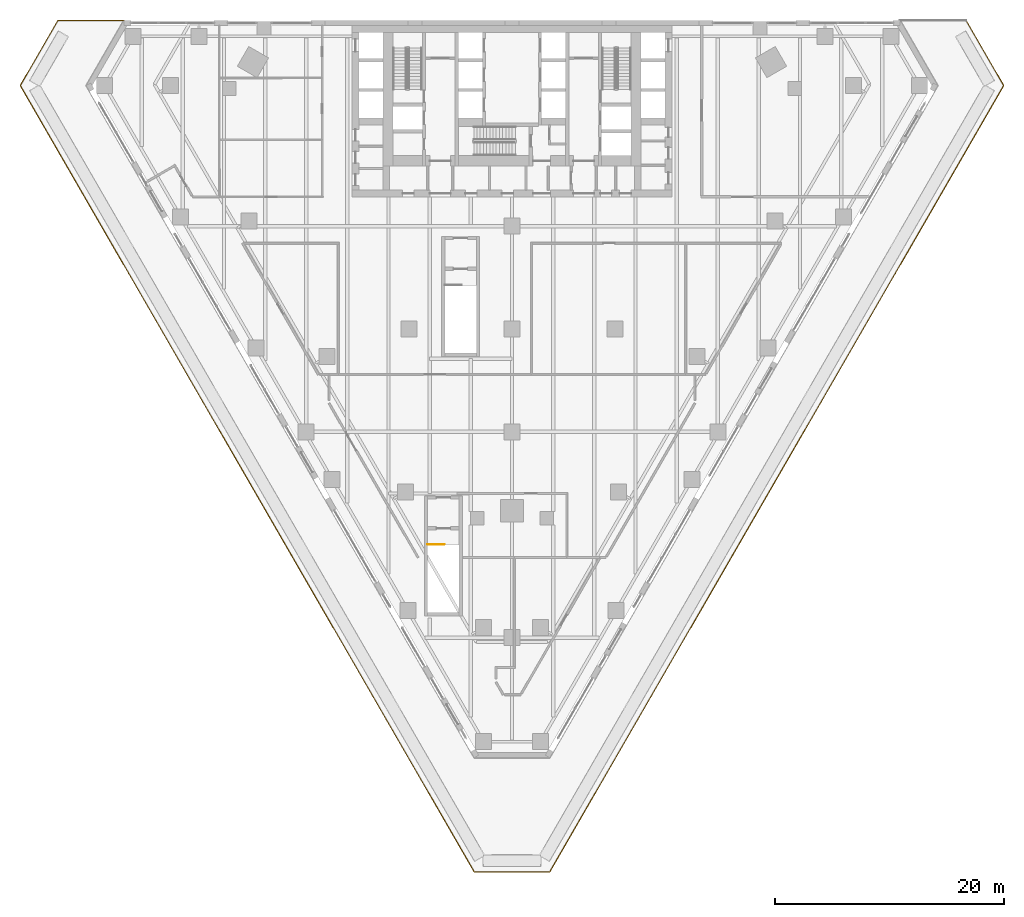
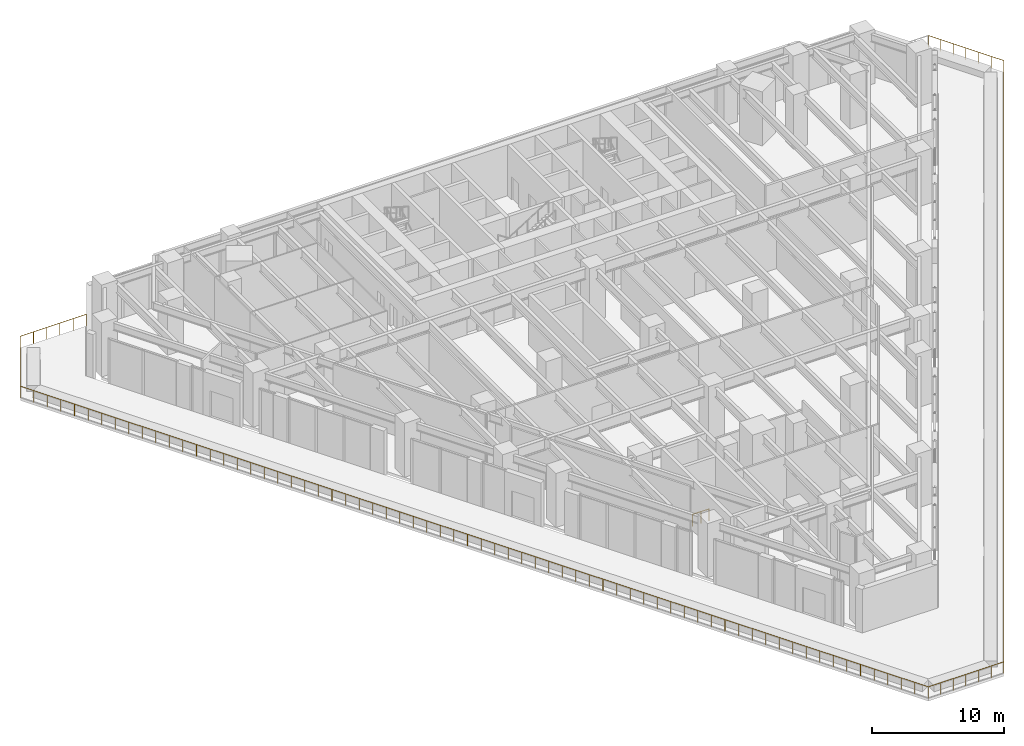
# One storey, part 28 of 31: 2 railings.
"""IFC4 building model written with IfcOpenShell, lengths in metres."""

from ifc_helpers import new_model, si_unit, direction, frame, origin, origin_2d, place, context, subcontext, project, spatial, circle, extrude, material, type_object, element, save


model = new_model("IFC4")

# Units and contexts
model_context = context("Model", 3, precision=1e-05, world=origin(), true_north=direction((0.0, 1.0)))
body_context = subcontext(model_context, "Body", "Model", "MODEL_VIEW")
ifc_project = project(units=[si_unit("LENGTHUNIT", "METRE"), si_unit("AREAUNIT", "SQUARE_METRE"), si_unit("VOLUMEUNIT", "CUBIC_METRE"), si_unit("PLANEANGLEUNIT", "RADIAN"), si_unit("MASSUNIT", "GRAM", prefix="KILO")], contexts=[model_context])

# Site, building, storey
site_placement = place(None, origin())
site = spatial("IfcSite", under=ifc_project, at=site_placement, CompositionType="ELEMENT")
building_placement = place(site_placement, origin())
building = spatial("IfcBuilding", under=site, at=building_placement, Name="Aloe Facet Convention Tower", CompositionType="ELEMENT")
storey_placement = place(building_placement, frame((0.0, 0.0, 25.0)))
storey = spatial("IfcBuildingStorey", under=building, at=storey_placement, Name="L04", CompositionType="ELEMENT", Elevation=25.0)

# Railings
ifc_material_1 = material(Name="Steel S355 balustrade", Category="steel")
railing_type_1 = type_object("IfcRailingType", Name="CR-RL-GUARD", PredefinedType="GUARDRAIL", material=ifc_material_1)
railing_1_placement = place(storey_placement, frame((72.625, 89.14990234375, 0.0)))
element("IfcRailing", 1, at=railing_1_placement, inside=storey, type_object=railing_type_1, Name="L04 ST4 top well guard 1", PredefinedType="GUARDRAIL", context=body_context, shape_type="SweptSolid", body=[
    extrude(circle(Radius=0.02392578125, at=origin_2d()), frame((0.0, 0.0, 1.076171875), z_axis=(1.0, 0.0, 0.0), x_axis=(0.0, 1.0, 0.0)), (0.0, 0.0, 1.0), 1.449951171875),
    extrude(circle(Radius=0.02099609375, at=origin_2d()), origin(), (0.0, 0.0, 1.0), 1.052001953125),
    extrude(circle(Radius=0.02099609375, at=origin_2d()), frame((0.72509765625, 0.0, 0.0)), (0.0, 0.0, 1.0), 1.052001953125),
    extrude(circle(Radius=0.02099609375, at=origin_2d()), frame((1.449951171875, 0.0, 0.0)), (0.0, 0.0, 1.0), 1.052001953125),
])
ifc_material_2 = material(Name="Steel S355, bronze oxide finish", Category="steel")
railing_type_2 = type_object("IfcRailingType", Name="EV-GUARD-TERR", PredefinedType="GUARDRAIL", material=ifc_material_2)
railing_2_placement = place(storey_placement, frame((119.720458984375, 135.0, 0.0)))
element("IfcRailing", 2, at=railing_2_placement, inside=storey, type_object=railing_type_2, Name="GUARD PT-L04-1-1", PredefinedType="GUARDRAIL", context=body_context, shape_type="SweptSolid", body=[
    extrude(circle(Radius=0.02392578125, at=origin_2d()), frame((0.0, 0.0, 1.076171875), z_axis=(0.500002094529, -0.866024194504, 0.0), x_axis=(0.866024194504, 0.500002094529, 0.0)), (0.0, 0.0, 1.0), 6.60009765625),
    extrude(circle(Radius=0.02392578125, at=origin_2d()), frame((3.300048828125, -5.7158203125, 1.076171875), z_axis=(-0.500000008167, -0.866025399069, 0.0), x_axis=(0.866025399069, -0.500000008167, 0.0)), (0.0, 0.0, 1.0), 79.44091796875),
    extrude(circle(Radius=0.02392578125, at=origin_2d()), frame((-36.42041015625, -74.513671875, 1.076171875), z_axis=(-1.0, 0.0, 0.0), x_axis=(0.0, -1.0, 0.0)), (0.0, 0.0, 1.0), 6.60009765625),
    extrude(circle(Radius=0.02392578125, at=origin_2d()), frame((-43.0205078125, -74.513671875, 1.076171875), z_axis=(-0.500000008167, 0.866025399069, 0.0), x_axis=(-0.866025399069, -0.500000008167, 0.0)), (0.0, 0.0, 1.0), 79.44091796875),
    extrude(circle(Radius=0.02392578125, at=origin_2d()), frame((-82.740966796875, -5.7158203125, 1.076171875), z_axis=(0.500002094529, 0.866024194504, 0.0), x_axis=(-0.866024194504, 0.500002094529, 0.0)), (0.0, 0.0, 1.0), 6.60009765625),
    extrude(circle(Radius=0.02392578125, at=origin_2d()), frame((-79.44091796875, 0.0, 1.076171875), z_axis=(1.0, 0.0, 0.0), x_axis=(0.0, 1.0, 0.0)), (0.0, 0.0, 1.0), 5.7734375),
    extrude(circle(Radius=0.02099609375, at=origin_2d()), origin(), (0.0, 0.0, 1.0), 1.052001953125),
    extrude(circle(Radius=0.02099609375, at=origin_2d()), frame((0.550048828125, -0.95263671875, 0.0)), (0.0, 0.0, 1.0), 1.052001953125),
    extrude(circle(Radius=0.02099609375, at=origin_2d()), frame((1.10009765625, -1.9052734375, 0.0)), (0.0, 0.0, 1.0), 1.052001953125),
    extrude(circle(Radius=0.02099609375, at=origin_2d()), frame((1.64990234375, -2.85791015625, 0.0)), (0.0, 0.0, 1.0), 1.052001953125),
    extrude(circle(Radius=0.02099609375, at=origin_2d()), frame((2.199951171875, -3.810546875, 0.0)), (0.0, 0.0, 1.0), 1.052001953125),
    extrude(circle(Radius=0.02099609375, at=origin_2d()), frame((2.75, -4.76318359375, 0.0)), (0.0, 0.0, 1.0), 1.052001953125),
    extrude(circle(Radius=0.02099609375, at=origin_2d()), frame((3.300048828125, -5.7158203125, 0.0)), (0.0, 0.0, 1.0), 1.052001953125),
    extrude(circle(Radius=0.02099609375, at=origin_2d()), frame((2.707275390625, -6.74267578125, 0.0)), (0.0, 0.0, 1.0), 1.052001953125),
    extrude(circle(Radius=0.02099609375, at=origin_2d()), frame((2.1142578125, -7.76953125, 0.0)), (0.0, 0.0, 1.0), 1.052001953125),
    extrude(circle(Radius=0.02099609375, at=origin_2d()), frame((1.521484375, -8.79638671875, 0.0)), (0.0, 0.0, 1.0), 1.052001953125),
    extrude(circle(Radius=0.02099609375, at=origin_2d()), frame((0.9287109375, -9.8232421875, 0.0)), (0.0, 0.0, 1.0), 1.052001953125),
    extrude(circle(Radius=0.02099609375, at=origin_2d()), frame((0.3359375, -10.85009765625, 0.0)), (0.0, 0.0, 1.0), 1.052001953125),
    extrude(circle(Radius=0.02099609375, at=origin_2d()), frame((-0.257080078125, -11.876708984375, 0.0)), (0.0, 0.0, 1.0), 1.052001953125),
    extrude(circle(Radius=0.02099609375, at=origin_2d()), frame((-0.849853515625, -12.903564453125, 0.0)), (0.0, 0.0, 1.0), 1.052001953125),
    extrude(circle(Radius=0.02099609375, at=origin_2d()), frame((-1.442626953125, -13.930419921875, 0.0)), (0.0, 0.0, 1.0), 1.052001953125),
    extrude(circle(Radius=0.02099609375, at=origin_2d()), frame((-2.03564453125, -14.957275390625, 0.0)), (0.0, 0.0, 1.0), 1.052001953125),
    extrude(circle(Radius=0.02099609375, at=origin_2d()), frame((-2.62841796875, -15.984130859375, 0.0)), (0.0, 0.0, 1.0), 1.052001953125),
    extrude(circle(Radius=0.02099609375, at=origin_2d()), frame((-3.22119140625, -17.010986328125, 0.0)), (0.0, 0.0, 1.0), 1.052001953125),
    extrude(circle(Radius=0.02099609375, at=origin_2d()), frame((-3.81396484375, -18.037841796875, 0.0)), (0.0, 0.0, 1.0), 1.052001953125),
    extrude(circle(Radius=0.02099609375, at=origin_2d()), frame((-4.406982421875, -19.064697265625, 0.0)), (0.0, 0.0, 1.0), 1.052001953125),
    extrude(circle(Radius=0.02099609375, at=origin_2d()), frame((-4.999755859375, -20.091552734375, 0.0)), (0.0, 0.0, 1.0), 1.052001953125),
    extrude(circle(Radius=0.02099609375, at=origin_2d()), frame((-5.592529296875, -21.118408203125, 0.0)), (0.0, 0.0, 1.0), 1.052001953125),
    extrude(circle(Radius=0.02099609375, at=origin_2d()), frame((-6.185546875, -22.145263671875, 0.0)), (0.0, 0.0, 1.0), 1.052001953125),
    extrude(circle(Radius=0.02099609375, at=origin_2d()), frame((-6.7783203125, -23.171875, 0.0)), (0.0, 0.0, 1.0), 1.052001953125),
    extrude(circle(Radius=0.02099609375, at=origin_2d()), frame((-7.37109375, -24.19873046875, 0.0)), (0.0, 0.0, 1.0), 1.052001953125),
    extrude(circle(Radius=0.02099609375, at=origin_2d()), frame((-7.9638671875, -25.2255859375, 0.0)), (0.0, 0.0, 1.0), 1.052001953125),
    extrude(circle(Radius=0.02099609375, at=origin_2d()), frame((-8.556884765625, -26.25244140625, 0.0)), (0.0, 0.0, 1.0), 1.052001953125),
    extrude(circle(Radius=0.02099609375, at=origin_2d()), frame((-9.149658203125, -27.279296875, 0.0)), (0.0, 0.0, 1.0), 1.052001953125),
    extrude(circle(Radius=0.02099609375, at=origin_2d()), frame((-9.742431640625, -28.30615234375, 0.0)), (0.0, 0.0, 1.0), 1.052001953125),
    extrude(circle(Radius=0.02099609375, at=origin_2d()), frame((-10.33544921875, -29.3330078125, 0.0)), (0.0, 0.0, 1.0), 1.052001953125),
    extrude(circle(Radius=0.02099609375, at=origin_2d()), frame((-10.92822265625, -30.35986328125, 0.0)), (0.0, 0.0, 1.0), 1.052001953125),
    extrude(circle(Radius=0.02099609375, at=origin_2d()), frame((-11.52099609375, -31.38671875, 0.0)), (0.0, 0.0, 1.0), 1.052001953125),
    extrude(circle(Radius=0.02099609375, at=origin_2d()), frame((-12.11376953125, -32.41357421875, 0.0)), (0.0, 0.0, 1.0), 1.052001953125),
    extrude(circle(Radius=0.02099609375, at=origin_2d()), frame((-12.706787109375, -33.4404296875, 0.0)), (0.0, 0.0, 1.0), 1.052001953125),
    extrude(circle(Radius=0.02099609375, at=origin_2d()), frame((-13.299560546875, -34.467041015625, 0.0)), (0.0, 0.0, 1.0), 1.052001953125),
    extrude(circle(Radius=0.02099609375, at=origin_2d()), frame((-13.892333984375, -35.493896484375, 0.0)), (0.0, 0.0, 1.0), 1.052001953125),
    extrude(circle(Radius=0.02099609375, at=origin_2d()), frame((-14.4853515625, -36.520751953125, 0.0)), (0.0, 0.0, 1.0), 1.052001953125),
    extrude(circle(Radius=0.02099609375, at=origin_2d()), frame((-15.078125, -37.547607421875, 0.0)), (0.0, 0.0, 1.0), 1.052001953125),
    extrude(circle(Radius=0.02099609375, at=origin_2d()), frame((-15.6708984375, -38.574462890625, 0.0)), (0.0, 0.0, 1.0), 1.052001953125),
    extrude(circle(Radius=0.02099609375, at=origin_2d()), frame((-16.263671875, -39.601318359375, 0.0)), (0.0, 0.0, 1.0), 1.052001953125),
    extrude(circle(Radius=0.02099609375, at=origin_2d()), frame((-16.856689453125, -40.628173828125, 0.0)), (0.0, 0.0, 1.0), 1.052001953125),
    extrude(circle(Radius=0.02099609375, at=origin_2d()), frame((-17.449462890625, -41.655029296875, 0.0)), (0.0, 0.0, 1.0), 1.052001953125),
    extrude(circle(Radius=0.02099609375, at=origin_2d()), frame((-18.042236328125, -42.681884765625, 0.0)), (0.0, 0.0, 1.0), 1.052001953125),
    extrude(circle(Radius=0.02099609375, at=origin_2d()), frame((-18.635009765625, -43.708740234375, 0.0)), (0.0, 0.0, 1.0), 1.052001953125),
    extrude(circle(Radius=0.02099609375, at=origin_2d()), frame((-19.22802734375, -44.735595703125, 0.0)), (0.0, 0.0, 1.0), 1.052001953125),
    extrude(circle(Radius=0.02099609375, at=origin_2d()), frame((-19.82080078125, -45.762451171875, 0.0)), (0.0, 0.0, 1.0), 1.052001953125),
    extrude(circle(Radius=0.02099609375, at=origin_2d()), frame((-20.41357421875, -46.7890625, 0.0)), (0.0, 0.0, 1.0), 1.052001953125),
    extrude(circle(Radius=0.02099609375, at=origin_2d()), frame((-21.006591796875, -47.81591796875, 0.0)), (0.0, 0.0, 1.0), 1.052001953125),
    extrude(circle(Radius=0.02099609375, at=origin_2d()), frame((-21.599365234375, -48.8427734375, 0.0)), (0.0, 0.0, 1.0), 1.052001953125),
    extrude(circle(Radius=0.02099609375, at=origin_2d()), frame((-22.192138671875, -49.86962890625, 0.0)), (0.0, 0.0, 1.0), 1.052001953125),
    extrude(circle(Radius=0.02099609375, at=origin_2d()), frame((-22.784912109375, -50.896484375, 0.0)), (0.0, 0.0, 1.0), 1.052001953125),
    extrude(circle(Radius=0.02099609375, at=origin_2d()), frame((-23.3779296875, -51.92333984375, 0.0)), (0.0, 0.0, 1.0), 1.052001953125),
    extrude(circle(Radius=0.02099609375, at=origin_2d()), frame((-23.970703125, -52.9501953125, 0.0)), (0.0, 0.0, 1.0), 1.052001953125),
    extrude(circle(Radius=0.02099609375, at=origin_2d()), frame((-24.5634765625, -53.97705078125, 0.0)), (0.0, 0.0, 1.0), 1.052001953125),
    extrude(circle(Radius=0.02099609375, at=origin_2d()), frame((-25.156494140625, -55.00390625, 0.0)), (0.0, 0.0, 1.0), 1.052001953125),
    extrude(circle(Radius=0.02099609375, at=origin_2d()), frame((-25.749267578125, -56.03076171875, 0.0)), (0.0, 0.0, 1.0), 1.052001953125),
    extrude(circle(Radius=0.02099609375, at=origin_2d()), frame((-26.342041015625, -57.0576171875, 0.0)), (0.0, 0.0, 1.0), 1.052001953125),
    extrude(circle(Radius=0.02099609375, at=origin_2d()), frame((-26.934814453125, -58.084228515625, 0.0)), (0.0, 0.0, 1.0), 1.052001953125),
    extrude(circle(Radius=0.02099609375, at=origin_2d()), frame((-27.52783203125, -59.111083984375, 0.0)), (0.0, 0.0, 1.0), 1.052001953125),
    extrude(circle(Radius=0.02099609375, at=origin_2d()), frame((-28.12060546875, -60.137939453125, 0.0)), (0.0, 0.0, 1.0), 1.052001953125),
    extrude(circle(Radius=0.02099609375, at=origin_2d()), frame((-28.71337890625, -61.164794921875, 0.0)), (0.0, 0.0, 1.0), 1.052001953125),
    extrude(circle(Radius=0.02099609375, at=origin_2d()), frame((-29.306396484375, -62.191650390625, 0.0)), (0.0, 0.0, 1.0), 1.052001953125),
    extrude(circle(Radius=0.02099609375, at=origin_2d()), frame((-29.899169921875, -63.218505859375, 0.0)), (0.0, 0.0, 1.0), 1.052001953125),
    extrude(circle(Radius=0.02099609375, at=origin_2d()), frame((-30.491943359375, -64.245361328125, 0.0)), (0.0, 0.0, 1.0), 1.052001953125),
    extrude(circle(Radius=0.02099609375, at=origin_2d()), frame((-31.084716796875, -65.272216796875, 0.0)), (0.0, 0.0, 1.0), 1.052001953125),
    extrude(circle(Radius=0.02099609375, at=origin_2d()), frame((-31.677734375, -66.299072265625, 0.0)), (0.0, 0.0, 1.0), 1.052001953125),
    extrude(circle(Radius=0.02099609375, at=origin_2d()), frame((-32.2705078125, -67.325927734375, 0.0)), (0.0, 0.0, 1.0), 1.052001953125),
    extrude(circle(Radius=0.02099609375, at=origin_2d()), frame((-32.86328125, -68.352783203125, 0.0)), (0.0, 0.0, 1.0), 1.052001953125),
    extrude(circle(Radius=0.02099609375, at=origin_2d()), frame((-33.456298828125, -69.37939453125, 0.0)), (0.0, 0.0, 1.0), 1.052001953125),
    extrude(circle(Radius=0.02099609375, at=origin_2d()), frame((-34.049072265625, -70.40625, 0.0)), (0.0, 0.0, 1.0), 1.052001953125),
    extrude(circle(Radius=0.02099609375, at=origin_2d()), frame((-34.641845703125, -71.43310546875, 0.0)), (0.0, 0.0, 1.0), 1.052001953125),
    extrude(circle(Radius=0.02099609375, at=origin_2d()), frame((-35.234619140625, -72.4599609375, 0.0)), (0.0, 0.0, 1.0), 1.052001953125),
    extrude(circle(Radius=0.02099609375, at=origin_2d()), frame((-35.82763671875, -73.48681640625, 0.0)), (0.0, 0.0, 1.0), 1.052001953125),
    extrude(circle(Radius=0.02099609375, at=origin_2d()), frame((-36.42041015625, -74.513671875, 0.0)), (0.0, 0.0, 1.0), 1.052001953125),
    extrude(circle(Radius=0.02099609375, at=origin_2d()), frame((-37.5205078125, -74.513671875, 0.0)), (0.0, 0.0, 1.0), 1.052001953125),
    extrude(circle(Radius=0.02099609375, at=origin_2d()), frame((-38.620361328125, -74.513671875, 0.0)), (0.0, 0.0, 1.0), 1.052001953125),
    extrude(circle(Radius=0.02099609375, at=origin_2d()), frame((-39.720458984375, -74.513671875, 0.0)), (0.0, 0.0, 1.0), 1.052001953125),
    extrude(circle(Radius=0.02099609375, at=origin_2d()), frame((-40.820556640625, -74.513671875, 0.0)), (0.0, 0.0, 1.0), 1.052001953125),
    extrude(circle(Radius=0.02099609375, at=origin_2d()), frame((-41.92041015625, -74.513671875, 0.0)), (0.0, 0.0, 1.0), 1.052001953125),
    extrude(circle(Radius=0.02099609375, at=origin_2d()), frame((-43.0205078125, -74.513671875, 0.0)), (0.0, 0.0, 1.0), 1.052001953125),
    extrude(circle(Radius=0.02099609375, at=origin_2d()), frame((-43.61328125, -73.48681640625, 0.0)), (0.0, 0.0, 1.0), 1.052001953125),
    extrude(circle(Radius=0.02099609375, at=origin_2d()), frame((-44.206298828125, -72.4599609375, 0.0)), (0.0, 0.0, 1.0), 1.052001953125),
    extrude(circle(Radius=0.02099609375, at=origin_2d()), frame((-44.799072265625, -71.43310546875, 0.0)), (0.0, 0.0, 1.0), 1.052001953125),
    extrude(circle(Radius=0.02099609375, at=origin_2d()), frame((-45.391845703125, -70.40625, 0.0)), (0.0, 0.0, 1.0), 1.052001953125),
    extrude(circle(Radius=0.02099609375, at=origin_2d()), frame((-45.984619140625, -69.37939453125, 0.0)), (0.0, 0.0, 1.0), 1.052001953125),
    extrude(circle(Radius=0.02099609375, at=origin_2d()), frame((-46.57763671875, -68.352783203125, 0.0)), (0.0, 0.0, 1.0), 1.052001953125),
    extrude(circle(Radius=0.02099609375, at=origin_2d()), frame((-47.17041015625, -67.325927734375, 0.0)), (0.0, 0.0, 1.0), 1.052001953125),
    extrude(circle(Radius=0.02099609375, at=origin_2d()), frame((-47.76318359375, -66.299072265625, 0.0)), (0.0, 0.0, 1.0), 1.052001953125),
    extrude(circle(Radius=0.02099609375, at=origin_2d()), frame((-48.356201171875, -65.272216796875, 0.0)), (0.0, 0.0, 1.0), 1.052001953125),
    extrude(circle(Radius=0.02099609375, at=origin_2d()), frame((-48.948974609375, -64.245361328125, 0.0)), (0.0, 0.0, 1.0), 1.052001953125),
    extrude(circle(Radius=0.02099609375, at=origin_2d()), frame((-49.541748046875, -63.218505859375, 0.0)), (0.0, 0.0, 1.0), 1.052001953125),
    extrude(circle(Radius=0.02099609375, at=origin_2d()), frame((-50.134521484375, -62.191650390625, 0.0)), (0.0, 0.0, 1.0), 1.052001953125),
    extrude(circle(Radius=0.02099609375, at=origin_2d()), frame((-50.7275390625, -61.164794921875, 0.0)), (0.0, 0.0, 1.0), 1.052001953125),
    extrude(circle(Radius=0.02099609375, at=origin_2d()), frame((-51.3203125, -60.137939453125, 0.0)), (0.0, 0.0, 1.0), 1.052001953125),
    extrude(circle(Radius=0.02099609375, at=origin_2d()), frame((-51.9130859375, -59.111083984375, 0.0)), (0.0, 0.0, 1.0), 1.052001953125),
    extrude(circle(Radius=0.02099609375, at=origin_2d()), frame((-52.506103515625, -58.084228515625, 0.0)), (0.0, 0.0, 1.0), 1.052001953125),
    extrude(circle(Radius=0.02099609375, at=origin_2d()), frame((-53.098876953125, -57.0576171875, 0.0)), (0.0, 0.0, 1.0), 1.052001953125),
    extrude(circle(Radius=0.02099609375, at=origin_2d()), frame((-53.691650390625, -56.03076171875, 0.0)), (0.0, 0.0, 1.0), 1.052001953125),
    extrude(circle(Radius=0.02099609375, at=origin_2d()), frame((-54.284423828125, -55.00390625, 0.0)), (0.0, 0.0, 1.0), 1.052001953125),
    extrude(circle(Radius=0.02099609375, at=origin_2d()), frame((-54.87744140625, -53.97705078125, 0.0)), (0.0, 0.0, 1.0), 1.052001953125),
    extrude(circle(Radius=0.02099609375, at=origin_2d()), frame((-55.47021484375, -52.9501953125, 0.0)), (0.0, 0.0, 1.0), 1.052001953125),
    extrude(circle(Radius=0.02099609375, at=origin_2d()), frame((-56.06298828125, -51.92333984375, 0.0)), (0.0, 0.0, 1.0), 1.052001953125),
    extrude(circle(Radius=0.02099609375, at=origin_2d()), frame((-56.656005859375, -50.896484375, 0.0)), (0.0, 0.0, 1.0), 1.052001953125),
    extrude(circle(Radius=0.02099609375, at=origin_2d()), frame((-57.248779296875, -49.86962890625, 0.0)), (0.0, 0.0, 1.0), 1.052001953125),
    extrude(circle(Radius=0.02099609375, at=origin_2d()), frame((-57.841552734375, -48.8427734375, 0.0)), (0.0, 0.0, 1.0), 1.052001953125),
    extrude(circle(Radius=0.02099609375, at=origin_2d()), frame((-58.434326171875, -47.81591796875, 0.0)), (0.0, 0.0, 1.0), 1.052001953125),
    extrude(circle(Radius=0.02099609375, at=origin_2d()), frame((-59.02734375, -46.7890625, 0.0)), (0.0, 0.0, 1.0), 1.052001953125),
    extrude(circle(Radius=0.02099609375, at=origin_2d()), frame((-59.6201171875, -45.762451171875, 0.0)), (0.0, 0.0, 1.0), 1.052001953125),
    extrude(circle(Radius=0.02099609375, at=origin_2d()), frame((-60.212890625, -44.735595703125, 0.0)), (0.0, 0.0, 1.0), 1.052001953125),
    extrude(circle(Radius=0.02099609375, at=origin_2d()), frame((-60.805908203125, -43.708740234375, 0.0)), (0.0, 0.0, 1.0), 1.052001953125),
    extrude(circle(Radius=0.02099609375, at=origin_2d()), frame((-61.398681640625, -42.681884765625, 0.0)), (0.0, 0.0, 1.0), 1.052001953125),
    extrude(circle(Radius=0.02099609375, at=origin_2d()), frame((-61.991455078125, -41.655029296875, 0.0)), (0.0, 0.0, 1.0), 1.052001953125),
    extrude(circle(Radius=0.02099609375, at=origin_2d()), frame((-62.584228515625, -40.628173828125, 0.0)), (0.0, 0.0, 1.0), 1.052001953125),
    extrude(circle(Radius=0.02099609375, at=origin_2d()), frame((-63.17724609375, -39.601318359375, 0.0)), (0.0, 0.0, 1.0), 1.052001953125),
    extrude(circle(Radius=0.02099609375, at=origin_2d()), frame((-63.77001953125, -38.574462890625, 0.0)), (0.0, 0.0, 1.0), 1.052001953125),
    extrude(circle(Radius=0.02099609375, at=origin_2d()), frame((-64.36279296875, -37.547607421875, 0.0)), (0.0, 0.0, 1.0), 1.052001953125),
    extrude(circle(Radius=0.02099609375, at=origin_2d()), frame((-64.95556640625, -36.520751953125, 0.0)), (0.0, 0.0, 1.0), 1.052001953125),
    extrude(circle(Radius=0.02099609375, at=origin_2d()), frame((-65.548583984375, -35.493896484375, 0.0)), (0.0, 0.0, 1.0), 1.052001953125),
    extrude(circle(Radius=0.02099609375, at=origin_2d()), frame((-66.141357421875, -34.467041015625, 0.0)), (0.0, 0.0, 1.0), 1.052001953125),
    extrude(circle(Radius=0.02099609375, at=origin_2d()), frame((-66.734130859375, -33.4404296875, 0.0)), (0.0, 0.0, 1.0), 1.052001953125),
    extrude(circle(Radius=0.02099609375, at=origin_2d()), frame((-67.3271484375, -32.41357421875, 0.0)), (0.0, 0.0, 1.0), 1.052001953125),
    extrude(circle(Radius=0.02099609375, at=origin_2d()), frame((-67.919921875, -31.38671875, 0.0)), (0.0, 0.0, 1.0), 1.052001953125),
    extrude(circle(Radius=0.02099609375, at=origin_2d()), frame((-68.5126953125, -30.35986328125, 0.0)), (0.0, 0.0, 1.0), 1.052001953125),
    extrude(circle(Radius=0.02099609375, at=origin_2d()), frame((-69.10546875, -29.3330078125, 0.0)), (0.0, 0.0, 1.0), 1.052001953125),
    extrude(circle(Radius=0.02099609375, at=origin_2d()), frame((-69.698486328125, -28.30615234375, 0.0)), (0.0, 0.0, 1.0), 1.052001953125),
    extrude(circle(Radius=0.02099609375, at=origin_2d()), frame((-70.291259765625, -27.279296875, 0.0)), (0.0, 0.0, 1.0), 1.052001953125),
    extrude(circle(Radius=0.02099609375, at=origin_2d()), frame((-70.884033203125, -26.25244140625, 0.0)), (0.0, 0.0, 1.0), 1.052001953125),
    extrude(circle(Radius=0.02099609375, at=origin_2d()), frame((-71.47705078125, -25.2255859375, 0.0)), (0.0, 0.0, 1.0), 1.052001953125),
    extrude(circle(Radius=0.02099609375, at=origin_2d()), frame((-72.06982421875, -24.19873046875, 0.0)), (0.0, 0.0, 1.0), 1.052001953125),
    extrude(circle(Radius=0.02099609375, at=origin_2d()), frame((-72.66259765625, -23.171875, 0.0)), (0.0, 0.0, 1.0), 1.052001953125),
    extrude(circle(Radius=0.02099609375, at=origin_2d()), frame((-73.25537109375, -22.145263671875, 0.0)), (0.0, 0.0, 1.0), 1.052001953125),
    extrude(circle(Radius=0.02099609375, at=origin_2d()), frame((-73.848388671875, -21.118408203125, 0.0)), (0.0, 0.0, 1.0), 1.052001953125),
    extrude(circle(Radius=0.02099609375, at=origin_2d()), frame((-74.441162109375, -20.091552734375, 0.0)), (0.0, 0.0, 1.0), 1.052001953125),
    extrude(circle(Radius=0.02099609375, at=origin_2d()), frame((-75.033935546875, -19.064697265625, 0.0)), (0.0, 0.0, 1.0), 1.052001953125),
    extrude(circle(Radius=0.02099609375, at=origin_2d()), frame((-75.626953125, -18.037841796875, 0.0)), (0.0, 0.0, 1.0), 1.052001953125),
    extrude(circle(Radius=0.02099609375, at=origin_2d()), frame((-76.2197265625, -17.010986328125, 0.0)), (0.0, 0.0, 1.0), 1.052001953125),
    extrude(circle(Radius=0.02099609375, at=origin_2d()), frame((-76.8125, -15.984130859375, 0.0)), (0.0, 0.0, 1.0), 1.052001953125),
    extrude(circle(Radius=0.02099609375, at=origin_2d()), frame((-77.4052734375, -14.957275390625, 0.0)), (0.0, 0.0, 1.0), 1.052001953125),
    extrude(circle(Radius=0.02099609375, at=origin_2d()), frame((-77.998291015625, -13.930419921875, 0.0)), (0.0, 0.0, 1.0), 1.052001953125),
    extrude(circle(Radius=0.02099609375, at=origin_2d()), frame((-78.591064453125, -12.903564453125, 0.0)), (0.0, 0.0, 1.0), 1.052001953125),
    extrude(circle(Radius=0.02099609375, at=origin_2d()), frame((-79.183837890625, -11.876708984375, 0.0)), (0.0, 0.0, 1.0), 1.052001953125),
    extrude(circle(Radius=0.02099609375, at=origin_2d()), frame((-79.77685546875, -10.85009765625, 0.0)), (0.0, 0.0, 1.0), 1.052001953125),
    extrude(circle(Radius=0.02099609375, at=origin_2d()), frame((-80.36962890625, -9.8232421875, 0.0)), (0.0, 0.0, 1.0), 1.052001953125),
    extrude(circle(Radius=0.02099609375, at=origin_2d()), frame((-80.96240234375, -8.79638671875, 0.0)), (0.0, 0.0, 1.0), 1.052001953125),
    extrude(circle(Radius=0.02099609375, at=origin_2d()), frame((-81.55517578125, -7.76953125, 0.0)), (0.0, 0.0, 1.0), 1.052001953125),
    extrude(circle(Radius=0.02099609375, at=origin_2d()), frame((-82.148193359375, -6.74267578125, 0.0)), (0.0, 0.0, 1.0), 1.052001953125),
    extrude(circle(Radius=0.02099609375, at=origin_2d()), frame((-82.740966796875, -5.7158203125, 0.0)), (0.0, 0.0, 1.0), 1.052001953125),
    extrude(circle(Radius=0.02099609375, at=origin_2d()), frame((-82.19091796875, -4.76318359375, 0.0)), (0.0, 0.0, 1.0), 1.052001953125),
    extrude(circle(Radius=0.02099609375, at=origin_2d()), frame((-81.640869140625, -3.810546875, 0.0)), (0.0, 0.0, 1.0), 1.052001953125),
    extrude(circle(Radius=0.02099609375, at=origin_2d()), frame((-81.0908203125, -2.85791015625, 0.0)), (0.0, 0.0, 1.0), 1.052001953125),
    extrude(circle(Radius=0.02099609375, at=origin_2d()), frame((-80.541015625, -1.9052734375, 0.0)), (0.0, 0.0, 1.0), 1.052001953125),
    extrude(circle(Radius=0.02099609375, at=origin_2d()), frame((-79.990966796875, -0.95263671875, 0.0)), (0.0, 0.0, 1.0), 1.052001953125),
    extrude(circle(Radius=0.02099609375, at=origin_2d()), frame((-79.44091796875, 0.0, 0.0)), (0.0, 0.0, 1.0), 1.052001953125),
    extrude(circle(Radius=0.02099609375, at=origin_2d()), frame((-78.2861328125, 0.0, 0.0)), (0.0, 0.0, 1.0), 1.052001953125),
    extrude(circle(Radius=0.02099609375, at=origin_2d()), frame((-77.131591796875, 0.0, 0.0)), (0.0, 0.0, 1.0), 1.052001953125),
    extrude(circle(Radius=0.02099609375, at=origin_2d()), frame((-75.976806640625, 0.0, 0.0)), (0.0, 0.0, 1.0), 1.052001953125),
    extrude(circle(Radius=0.02099609375, at=origin_2d()), frame((-74.822265625, 0.0, 0.0)), (0.0, 0.0, 1.0), 1.052001953125),
    extrude(circle(Radius=0.02099609375, at=origin_2d()), frame((-73.66748046875, 0.0, 0.0)), (0.0, 0.0, 1.0), 1.052001953125),
])

save(model, "model.ifc")
